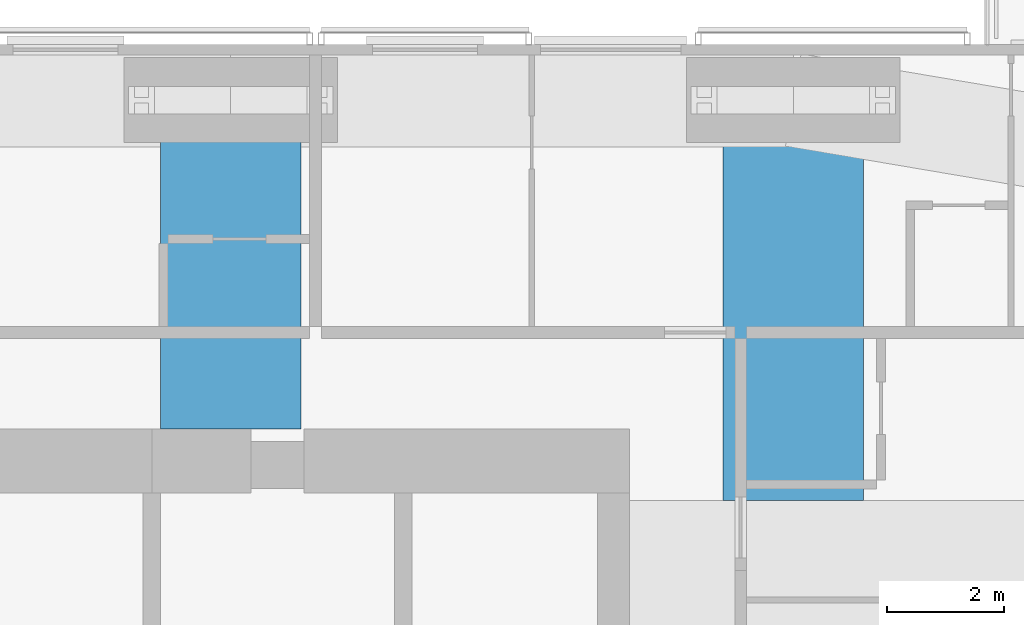
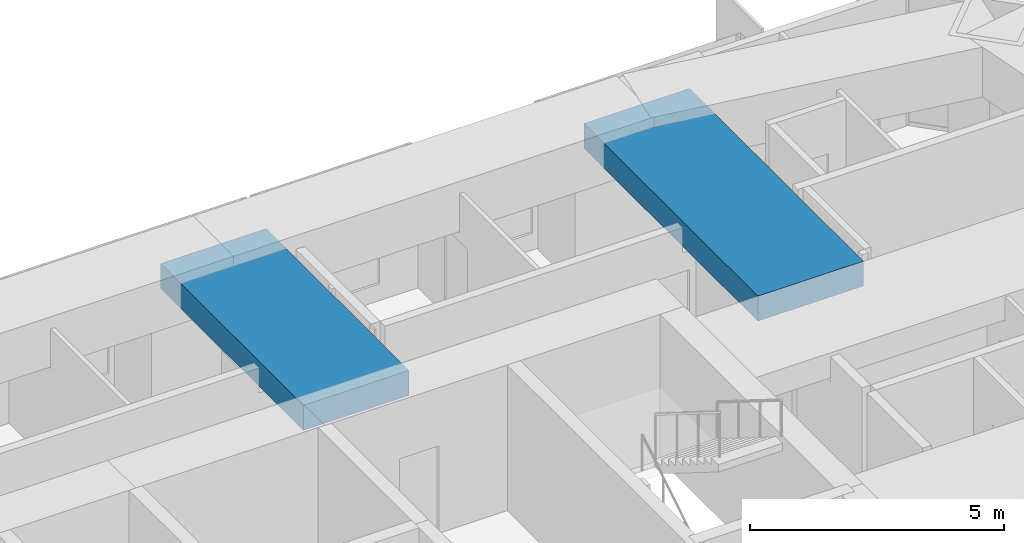
# One storey, part 7 of 19: 2 beams.
"""IFC4 building model written with IfcOpenShell, lengths in metres."""

from ifc_helpers import new_model, si_unit, direction, frame, origin, origin_2d, place, context, subcontext, project, spatial, rectangle, extrude, material, material_profile, profile_set, type_object, element, save


model = new_model("IFC4")

# Units and contexts
model_context = context("Model", 3, precision=1e-05, world=origin(), true_north=direction((0.0, 1.0)))
body_context = subcontext(model_context, "Body", "Model", "MODEL_VIEW")
ifc_project = project(units=[si_unit("LENGTHUNIT", "METRE"), si_unit("AREAUNIT", "SQUARE_METRE"), si_unit("VOLUMEUNIT", "CUBIC_METRE"), si_unit("PLANEANGLEUNIT", "RADIAN"), si_unit("MASSUNIT", "GRAM", prefix="KILO")], contexts=[model_context])

# Site, building, storey
site_placement = place(None, origin())
site = spatial("IfcSite", under=ifc_project, at=site_placement, CompositionType="ELEMENT")
building_placement = place(site_placement, origin())
building = spatial("IfcBuilding", under=site, at=building_placement, Name="Jalousie Tower", CompositionType="ELEMENT")
storey_placement = place(building_placement, frame((0.0, 0.0, 217.949951171875)))
storey = spatial("IfcBuildingStorey", under=building, at=storey_placement, Name="L59", CompositionType="ELEMENT", Elevation=217.949951171875)

# Beams
ifc_material = material(Name="Concrete f'c 40 MPa", Category="concrete")
ifc_material_profile = material_profile(ifc_material, rectangle(XDim=2.39990234375, YDim=0.60009765625, at=origin_2d()), Name="RC 2400x600")
ifc_profile_set = profile_set([ifc_material_profile], Name="Concrete f'c 40 MPa")
beam_type = type_object("IfcBeamType", Name="RC BEAM 2400x600", PredefinedType="BEAM", material=ifc_profile_set)
beam_1_placement = place(storey_placement, frame((37.25, 33.050048828125, 2.9599609375), z_axis=(0.0, -1.0, 0.0), x_axis=(1.0, 0.0, 0.0)))
element("IfcBeam", 1, at=beam_1_placement, inside=storey, type_object=beam_type, Name="Floor band beam under L60", PredefinedType="BEAM", context=body_context, shape_type="SweptSolid", body=[
    extrude(rectangle(XDim=2.39990234375, YDim=0.60009765625, at=origin_2d()), origin(), (0.0, 0.0, 1.0), 5.625),
])
beam_2_placement = place(storey_placement, frame((46.875, 33.050048828125, 2.9599609375), z_axis=(0.0, -1.0, 0.0), x_axis=(1.0, 0.0, 0.0)))
element("IfcBeam", 2, at=beam_2_placement, inside=storey, type_object=beam_type, Name="Floor band beam under L60", PredefinedType="BEAM", context=body_context, shape_type="SweptSolid", body=[
    extrude(rectangle(XDim=2.39990234375, YDim=0.60009765625, at=origin_2d()), origin(), (0.0, 0.0, 1.0), 6.85009765625),
])

save(model, "model.ifc")
